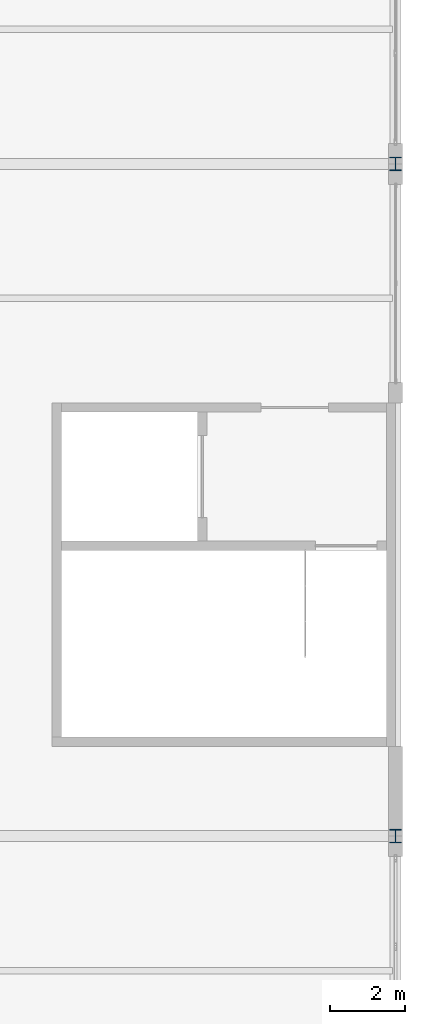
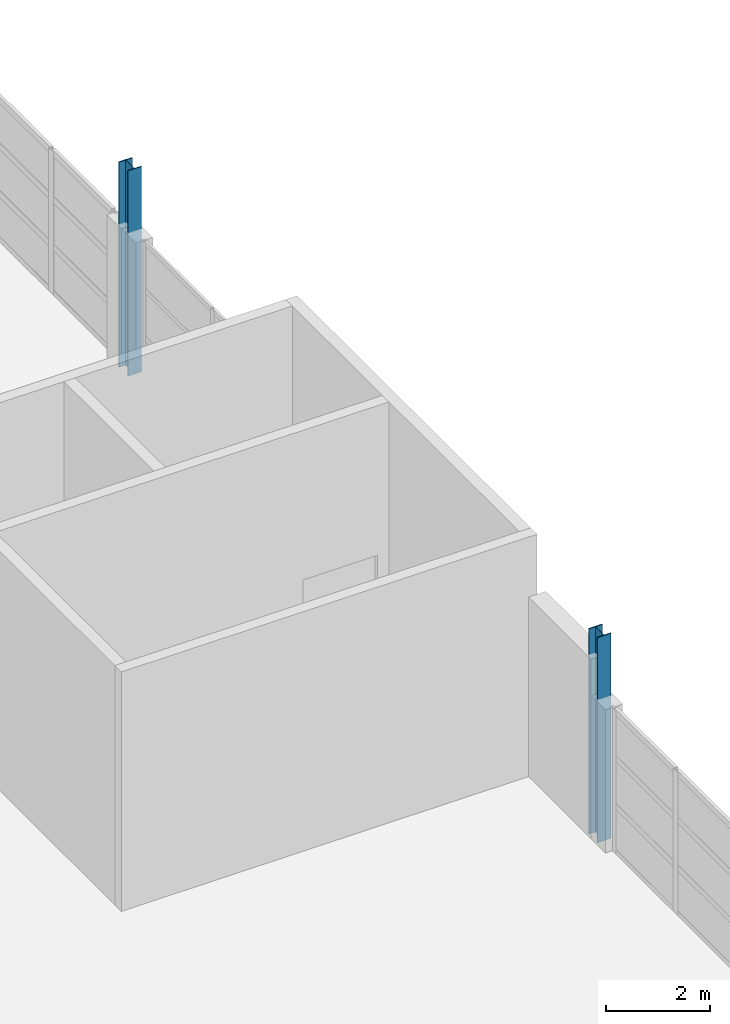
# One storey, part 4 of 86: 2 columns.
"""IFC4 building model written with IfcOpenShell, lengths in metres."""

from ifc_helpers import new_model, si_unit, direction, frame, origin, origin_2d, place, context, subcontext, project, spatial, i_section, extrude, material, material_profile, profile_set, type_object, element, save


model = new_model("IFC4")

# Units and contexts
model_context = context("Model", 3, precision=1e-05, world=origin(), true_north=direction((0.0, 1.0)))
body_context = subcontext(model_context, "Body", "Model", "MODEL_VIEW")
ifc_project = project(units=[si_unit("LENGTHUNIT", "METRE"), si_unit("AREAUNIT", "SQUARE_METRE"), si_unit("VOLUMEUNIT", "CUBIC_METRE"), si_unit("PLANEANGLEUNIT", "RADIAN"), si_unit("MASSUNIT", "GRAM", prefix="KILO")], contexts=[model_context])

# Site, building, storey
site_placement = place(None, origin())
site = spatial("IfcSite", under=ifc_project, at=site_placement, CompositionType="ELEMENT")
building_placement = place(site_placement, origin())
building = spatial("IfcBuilding", under=site, at=building_placement, Name="Zilviju Railside Exhibition Hall", CompositionType="ELEMENT")
storey_placement = place(building_placement, frame((0.0, 0.0, 12.60009765625)))
storey = spatial("IfcBuildingStorey", under=building, at=storey_placement, Name="L04", CompositionType="ELEMENT", Elevation=12.60009765625)

# Columns
ifc_material = material(Name="Steel S355J2", Category="steel")
ifc_material_profile = material_profile(ifc_material, i_section(OverallWidth=0.300048828125, OverallDepth=0.360107421875, WebThickness=0.012451171875, FlangeThickness=0.0224609375, at=origin_2d()), Name="HEB 360")
ifc_profile_set = profile_set([ifc_material_profile], Name="Steel S355J2")
column_type = type_object("IfcColumnType", Name="COL-ST-HEB360", PredefinedType="COLUMN", material=ifc_profile_set)
for number, where, z_axis, x_axis, name in (
    (1, (216.0, 102.0, 0.0), (0.0, 0.0, 1.0), (1.0, 0.0, 0.0), "Structural Column L04 (216.0, 102.0)"),
    (2, (216.0, 120.0, 0.0), (0.0, 0.0, 1.0), (1.0, 0.0, 0.0), "Structural Column L04 (216.0, 120.0)"),
):
    element("IfcColumn", number, at=place(storey_placement, frame(where, z_axis=z_axis, x_axis=x_axis)), inside=storey, type_object=column_type, Name=name, PredefinedType="COLUMN", context=body_context, shape_type="SweptSolid", body=[
        extrude(i_section(OverallWidth=0.300048828125, OverallDepth=0.360107421875, WebThickness=0.012451171875, FlangeThickness=0.0224609375, at=origin_2d()), origin(), (0.0, 0.0, 1.0), 4.7998046875),
    ])

save(model, "model.ifc")
